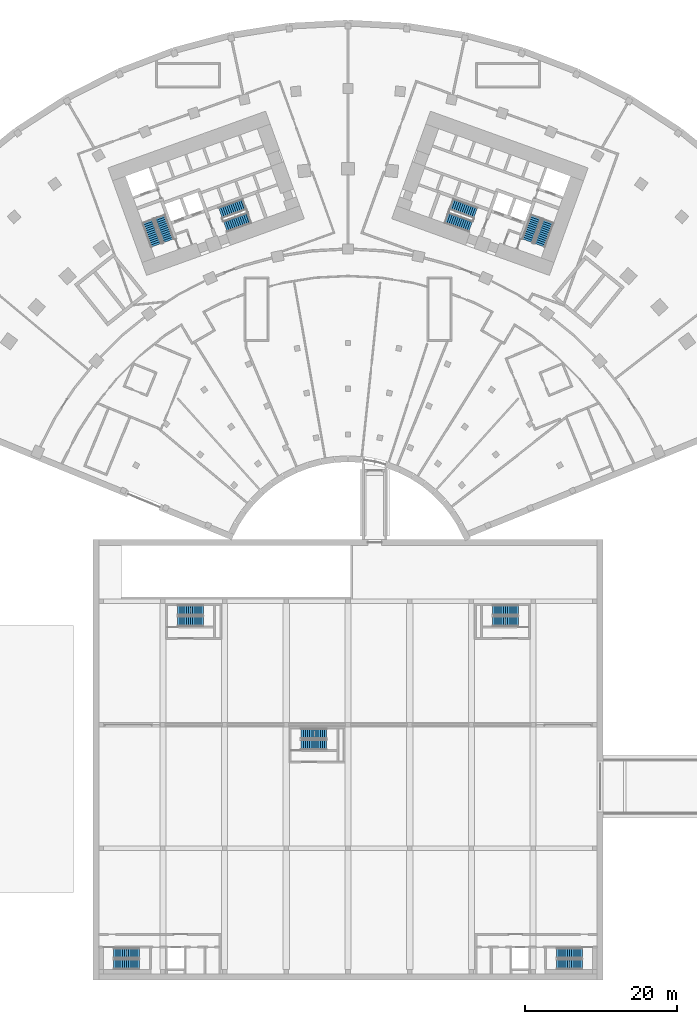
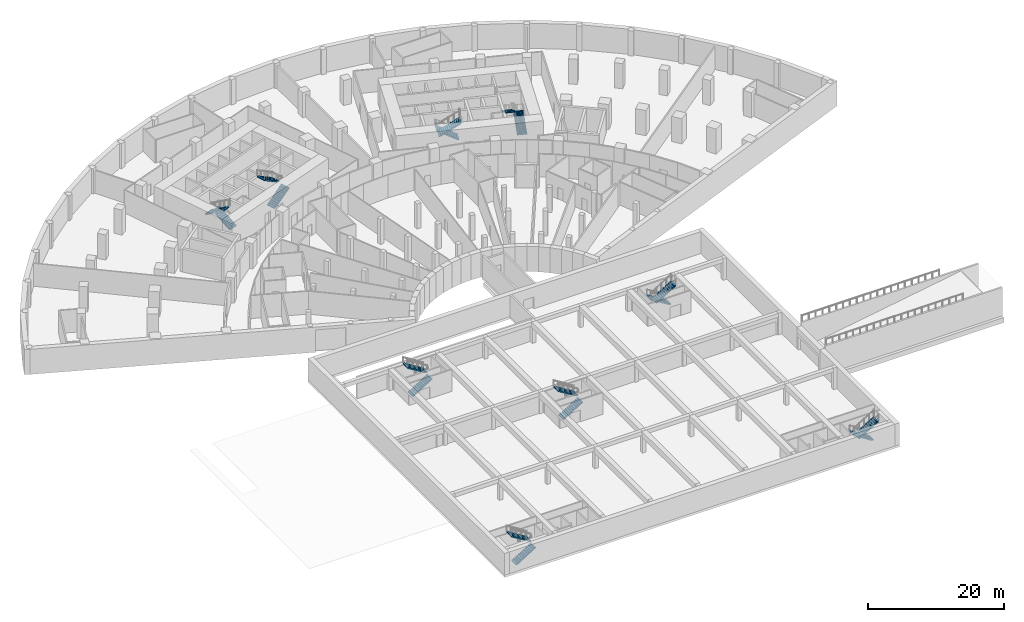
# One storey, part 14 of 23: 18 stair flights, 9 elements without a shape of their own.
"""IFC4 building model written with IfcOpenShell, lengths in metres."""

from ifc_helpers import new_model, si_unit, direction, frame, origin, place, context, subcontext, project, spatial, polyline, outline, extrude, material, layer, layer_set, type_object, element, aggregate, save


model = new_model("IFC4")

# Units and contexts
model_context = context("Model", 3, precision=1e-05, world=origin(), true_north=direction((0.0, 1.0)))
body_context = subcontext(model_context, "Body", "Model", "MODEL_VIEW")
ifc_project = project(units=[si_unit("LENGTHUNIT", "METRE"), si_unit("AREAUNIT", "SQUARE_METRE"), si_unit("VOLUMEUNIT", "CUBIC_METRE"), si_unit("PLANEANGLEUNIT", "RADIAN"), si_unit("MASSUNIT", "GRAM", prefix="KILO")], contexts=[model_context])

# Site, building, storey
site_placement = place(None, origin())
site = spatial("IfcSite", under=ifc_project, at=site_placement, CompositionType="ELEMENT")
building_placement = place(site_placement, origin())
building = spatial("IfcBuilding", under=site, at=building_placement, Name="Stone Belt Terrace Tower", CompositionType="ELEMENT")
storey_placement = place(building_placement, frame((0.0, 0.0, -4.5)))
storey = spatial("IfcBuildingStorey", under=building, at=storey_placement, Name="B1", CompositionType="ELEMENT", Elevation=-4.5)

# Stair, stair flights
ifc_material_1 = material(Name="Concrete B30", Category="concrete")
stair_type_1 = type_object("IfcStairType", Name="Car park stair 1200", PredefinedType="HALF_TURN_STAIR", material=ifc_material_1)
stair_1_placement = place(storey_placement, origin())
stair_1 = element("IfcStair", 1, at=stair_1_placement, inside=storey, type_object=stair_type_1, Name="B1 Car park stair 1", PredefinedType="HALF_TURN_STAIR")
ifc_layer = layer(ifc_material_1, 0.14990234375)
ifc_layer_set = layer_set([ifc_layer], Name="Car park stair flight 1200")
stair_flight_type_1 = type_object("IfcStairFlightType", Name="Car park stair flight 1200", PredefinedType="STRAIGHT", material=ifc_layer_set)
stair_flight_1_placement = place(storey_placement, frame((-30.75, -49.425048828125, 0.0), z_axis=(0.0, 0.0, 1.0), x_axis=(1.0, 0.0, 0.0)))
stair_flight_1 = element("IfcStairFlight", 2, at=stair_flight_1_placement, type_object=stair_flight_type_1, Name="CS1 flight 1", NumberOfRisers=13, NumberOfTreads=12, PredefinedType="STRAIGHT", RiserHeight=0.173076923, TreadLength=0.28, context=body_context, shape_type="SweptSolid", body=[
    extrude(outline(polyline([(0.0, 0.0), (0.0, 0.173095703125), (0.280029296875, 0.173095703125), (0.280029296875, 0.34619140625), (0.56005859375, 0.34619140625), (0.56005859375, 0.519287109375), (0.840087890625, 0.519287109375), (0.840087890625, 0.6923828125), (1.1201171875, 0.6923828125), (1.1201171875, 0.865478515625), (1.39990234375, 0.865478515625), (1.39990234375, 1.03857421875), (1.679931640625, 1.03857421875), (1.679931640625, 1.21142578125), (1.9599609375, 1.21142578125), (1.9599609375, 1.384521484375), (2.239990234375, 1.384521484375), (2.239990234375, 1.5576171875), (2.52001953125, 1.5576171875), (2.52001953125, 1.730712890625), (2.800048828125, 1.730712890625), (2.800048828125, 1.90380859375), (3.080078125, 1.90380859375), (3.080078125, 2.076904296875), (3.360107421875, 2.076904296875), (3.360107421875, 2.25), (3.360107421875, 1.900634765625), (0.28515625, 0.0), (0.0, 0.0)])), frame((0.0, 0.675048828125, 0.0), z_axis=(0.0, -1.0, 0.0), x_axis=(1.0, 0.0, 0.0)), (0.0, 0.0, 1.0), 1.35009765625),
])
stair_flight_2_placement = place(storey_placement, frame((-27.389892578125, -47.97509765625, 2.25), z_axis=(0.0, 0.0, 1.0), x_axis=(-1.0, 0.0, 0.0)))
stair_flight_2 = element("IfcStairFlight", 3, at=stair_flight_2_placement, type_object=stair_flight_type_1, Name="CS1 flight 2", NumberOfRisers=13, NumberOfTreads=12, PredefinedType="STRAIGHT", RiserHeight=0.173076923, TreadLength=0.28, context=body_context, shape_type="SweptSolid", body=[
    extrude(outline(polyline([(0.0, 0.0), (0.0, 0.173095703125), (0.280029296875, 0.173095703125), (0.280029296875, 0.34619140625), (0.56005859375, 0.34619140625), (0.56005859375, 0.519287109375), (0.840087890625, 0.519287109375), (0.840087890625, 0.6923828125), (1.1201171875, 0.6923828125), (1.1201171875, 0.865478515625), (1.39990234375, 0.865478515625), (1.39990234375, 1.03857421875), (1.679931640625, 1.03857421875), (1.679931640625, 1.21142578125), (1.9599609375, 1.21142578125), (1.9599609375, 1.384521484375), (2.239990234375, 1.384521484375), (2.239990234375, 1.5576171875), (2.52001953125, 1.5576171875), (2.52001953125, 1.730712890625), (2.800048828125, 1.730712890625), (2.800048828125, 1.90380859375), (3.080078125, 1.90380859375), (3.080078125, 2.076904296875), (3.360107421875, 2.076904296875), (3.360107421875, 2.25), (3.360107421875, 1.900634765625), (0.28515625, 0.0), (0.0, 0.0)])), frame((0.0, 0.675048828125, 0.0), z_axis=(0.0, -1.0, 0.0), x_axis=(1.0, 0.0, 0.0)), (0.0, 0.0, 1.0), 1.35009765625),
])
aggregate(stair_1, [stair_flight_1, stair_flight_2])

stair_2_placement = place(storey_placement, origin())
stair_2 = element("IfcStair", 4, at=stair_2_placement, inside=storey, type_object=stair_type_1, Name="B1 Car park stair 2", PredefinedType="HALF_TURN_STAIR")
stair_flight_3_placement = place(storey_placement, frame((30.75, -47.97509765625, 0.0), z_axis=(0.0, 0.0, 1.0), x_axis=(-1.0, 0.0, 0.0)))
stair_flight_3 = element("IfcStairFlight", 5, at=stair_flight_3_placement, type_object=stair_flight_type_1, Name="CS2 flight 1", NumberOfRisers=13, NumberOfTreads=12, PredefinedType="STRAIGHT", RiserHeight=0.173076923, TreadLength=0.28, context=body_context, shape_type="SweptSolid", body=[
    extrude(outline(polyline([(0.0, 0.0), (0.0, 0.173095703125), (0.280029296875, 0.173095703125), (0.280029296875, 0.34619140625), (0.56005859375, 0.34619140625), (0.56005859375, 0.519287109375), (0.840087890625, 0.519287109375), (0.840087890625, 0.6923828125), (1.1201171875, 0.6923828125), (1.1201171875, 0.865478515625), (1.39990234375, 0.865478515625), (1.39990234375, 1.03857421875), (1.679931640625, 1.03857421875), (1.679931640625, 1.21142578125), (1.9599609375, 1.21142578125), (1.9599609375, 1.384521484375), (2.239990234375, 1.384521484375), (2.239990234375, 1.5576171875), (2.52001953125, 1.5576171875), (2.52001953125, 1.730712890625), (2.800048828125, 1.730712890625), (2.800048828125, 1.90380859375), (3.080078125, 1.90380859375), (3.080078125, 2.076904296875), (3.360107421875, 2.076904296875), (3.360107421875, 2.25), (3.360107421875, 1.900634765625), (0.28515625, 0.0), (0.0, 0.0)])), frame((0.0, 0.675048828125, 0.0), z_axis=(0.0, -1.0, 0.0), x_axis=(1.0, 0.0, 0.0)), (0.0, 0.0, 1.0), 1.35009765625),
])
stair_flight_4_placement = place(storey_placement, frame((27.389892578125, -49.425048828125, 2.25), z_axis=(0.0, 0.0, 1.0), x_axis=(1.0, 0.0, 0.0)))
stair_flight_4 = element("IfcStairFlight", 6, at=stair_flight_4_placement, type_object=stair_flight_type_1, Name="CS2 flight 2", NumberOfRisers=13, NumberOfTreads=12, PredefinedType="STRAIGHT", RiserHeight=0.173076923, TreadLength=0.28, context=body_context, shape_type="SweptSolid", body=[
    extrude(outline(polyline([(0.0, 0.0), (0.0, 0.173095703125), (0.280029296875, 0.173095703125), (0.280029296875, 0.34619140625), (0.56005859375, 0.34619140625), (0.56005859375, 0.519287109375), (0.840087890625, 0.519287109375), (0.840087890625, 0.6923828125), (1.1201171875, 0.6923828125), (1.1201171875, 0.865478515625), (1.39990234375, 0.865478515625), (1.39990234375, 1.03857421875), (1.679931640625, 1.03857421875), (1.679931640625, 1.21142578125), (1.9599609375, 1.21142578125), (1.9599609375, 1.384521484375), (2.239990234375, 1.384521484375), (2.239990234375, 1.5576171875), (2.52001953125, 1.5576171875), (2.52001953125, 1.730712890625), (2.800048828125, 1.730712890625), (2.800048828125, 1.90380859375), (3.080078125, 1.90380859375), (3.080078125, 2.076904296875), (3.360107421875, 2.076904296875), (3.360107421875, 2.25), (3.360107421875, 1.900634765625), (0.28515625, 0.0), (0.0, 0.0)])), frame((0.0, 0.675048828125, 0.0), z_axis=(0.0, -1.0, 0.0), x_axis=(1.0, 0.0, 0.0)), (0.0, 0.0, 1.0), 1.35009765625),
])
aggregate(stair_2, [stair_flight_3, stair_flight_4])

stair_3_placement = place(storey_placement, origin())
stair_3 = element("IfcStair", 7, at=stair_3_placement, inside=storey, type_object=stair_type_1, Name="B1 Car park stair 3", PredefinedType="HALF_TURN_STAIR")
stair_flight_5_placement = place(storey_placement, frame((-22.35009765625, -4.425048828125, 0.0), z_axis=(0.0, 0.0, 1.0), x_axis=(1.0, 0.0, 0.0)))
stair_flight_5 = element("IfcStairFlight", 8, at=stair_flight_5_placement, type_object=stair_flight_type_1, Name="CS3 flight 1", NumberOfRisers=13, NumberOfTreads=12, PredefinedType="STRAIGHT", RiserHeight=0.173076923, TreadLength=0.28, context=body_context, shape_type="SweptSolid", body=[
    extrude(outline(polyline([(0.0, 0.0), (0.0, 0.173095703125), (0.280029296875, 0.173095703125), (0.280029296875, 0.34619140625), (0.56005859375, 0.34619140625), (0.56005859375, 0.519287109375), (0.840087890625, 0.519287109375), (0.840087890625, 0.6923828125), (1.1201171875, 0.6923828125), (1.1201171875, 0.865478515625), (1.39990234375, 0.865478515625), (1.39990234375, 1.03857421875), (1.679931640625, 1.03857421875), (1.679931640625, 1.21142578125), (1.9599609375, 1.21142578125), (1.9599609375, 1.384521484375), (2.239990234375, 1.384521484375), (2.239990234375, 1.5576171875), (2.52001953125, 1.5576171875), (2.52001953125, 1.730712890625), (2.800048828125, 1.730712890625), (2.800048828125, 1.90380859375), (3.080078125, 1.90380859375), (3.080078125, 2.076904296875), (3.360107421875, 2.076904296875), (3.360107421875, 2.25), (3.360107421875, 1.900634765625), (0.28515625, 0.0), (0.0, 0.0)])), frame((0.0, 0.675048828125, 0.0), z_axis=(0.0, -1.0, 0.0), x_axis=(1.0, 0.0, 0.0)), (0.0, 0.0, 1.0), 1.35009765625),
])
stair_flight_6_placement = place(storey_placement, frame((-18.989990234375, -2.97509765625, 2.25), z_axis=(0.0, 0.0, 1.0), x_axis=(-1.0, 0.0, 0.0)))
stair_flight_6 = element("IfcStairFlight", 9, at=stair_flight_6_placement, type_object=stair_flight_type_1, Name="CS3 flight 2", NumberOfRisers=13, NumberOfTreads=12, PredefinedType="STRAIGHT", RiserHeight=0.173076923, TreadLength=0.28, context=body_context, shape_type="SweptSolid", body=[
    extrude(outline(polyline([(0.0, 0.0), (0.0, 0.173095703125), (0.280029296875, 0.173095703125), (0.280029296875, 0.34619140625), (0.56005859375, 0.34619140625), (0.56005859375, 0.519287109375), (0.840087890625, 0.519287109375), (0.840087890625, 0.6923828125), (1.1201171875, 0.6923828125), (1.1201171875, 0.865478515625), (1.39990234375, 0.865478515625), (1.39990234375, 1.03857421875), (1.679931640625, 1.03857421875), (1.679931640625, 1.21142578125), (1.9599609375, 1.21142578125), (1.9599609375, 1.384521484375), (2.239990234375, 1.384521484375), (2.239990234375, 1.5576171875), (2.52001953125, 1.5576171875), (2.52001953125, 1.730712890625), (2.800048828125, 1.730712890625), (2.800048828125, 1.90380859375), (3.080078125, 1.90380859375), (3.080078125, 2.076904296875), (3.360107421875, 2.076904296875), (3.360107421875, 2.25), (3.360107421875, 1.900634765625), (0.28515625, 0.0), (0.0, 0.0)])), frame((0.0, 0.675048828125, 0.0), z_axis=(0.0, -1.0, 0.0), x_axis=(1.0, 0.0, 0.0)), (0.0, 0.0, 1.0), 1.35009765625),
])
aggregate(stair_3, [stair_flight_5, stair_flight_6])

stair_4_placement = place(storey_placement, origin())
stair_4 = element("IfcStair", 10, at=stair_4_placement, inside=storey, type_object=stair_type_1, Name="B1 Car park stair 4", PredefinedType="HALF_TURN_STAIR")
stair_flight_7_placement = place(storey_placement, frame((22.35009765625, -2.97509765625, 0.0), z_axis=(0.0, 0.0, 1.0), x_axis=(-1.0, 0.0, 0.0)))
stair_flight_7 = element("IfcStairFlight", 11, at=stair_flight_7_placement, type_object=stair_flight_type_1, Name="CS4 flight 1", NumberOfRisers=13, NumberOfTreads=12, PredefinedType="STRAIGHT", RiserHeight=0.173076923, TreadLength=0.28, context=body_context, shape_type="SweptSolid", body=[
    extrude(outline(polyline([(0.0, 0.0), (0.0, 0.173095703125), (0.280029296875, 0.173095703125), (0.280029296875, 0.34619140625), (0.56005859375, 0.34619140625), (0.56005859375, 0.519287109375), (0.840087890625, 0.519287109375), (0.840087890625, 0.6923828125), (1.1201171875, 0.6923828125), (1.1201171875, 0.865478515625), (1.39990234375, 0.865478515625), (1.39990234375, 1.03857421875), (1.679931640625, 1.03857421875), (1.679931640625, 1.21142578125), (1.9599609375, 1.21142578125), (1.9599609375, 1.384521484375), (2.239990234375, 1.384521484375), (2.239990234375, 1.5576171875), (2.52001953125, 1.5576171875), (2.52001953125, 1.730712890625), (2.800048828125, 1.730712890625), (2.800048828125, 1.90380859375), (3.080078125, 1.90380859375), (3.080078125, 2.076904296875), (3.360107421875, 2.076904296875), (3.360107421875, 2.25), (3.360107421875, 1.900634765625), (0.28515625, 0.0), (0.0, 0.0)])), frame((0.0, 0.675048828125, 0.0), z_axis=(0.0, -1.0, 0.0), x_axis=(1.0, 0.0, 0.0)), (0.0, 0.0, 1.0), 1.35009765625),
])
stair_flight_8_placement = place(storey_placement, frame((18.989990234375, -4.425048828125, 2.25), z_axis=(0.0, 0.0, 1.0), x_axis=(1.0, 0.0, 0.0)))
stair_flight_8 = element("IfcStairFlight", 12, at=stair_flight_8_placement, type_object=stair_flight_type_1, Name="CS4 flight 2", NumberOfRisers=13, NumberOfTreads=12, PredefinedType="STRAIGHT", RiserHeight=0.173076923, TreadLength=0.28, context=body_context, shape_type="SweptSolid", body=[
    extrude(outline(polyline([(0.0, 0.0), (0.0, 0.173095703125), (0.280029296875, 0.173095703125), (0.280029296875, 0.34619140625), (0.56005859375, 0.34619140625), (0.56005859375, 0.519287109375), (0.840087890625, 0.519287109375), (0.840087890625, 0.6923828125), (1.1201171875, 0.6923828125), (1.1201171875, 0.865478515625), (1.39990234375, 0.865478515625), (1.39990234375, 1.03857421875), (1.679931640625, 1.03857421875), (1.679931640625, 1.21142578125), (1.9599609375, 1.21142578125), (1.9599609375, 1.384521484375), (2.239990234375, 1.384521484375), (2.239990234375, 1.5576171875), (2.52001953125, 1.5576171875), (2.52001953125, 1.730712890625), (2.800048828125, 1.730712890625), (2.800048828125, 1.90380859375), (3.080078125, 1.90380859375), (3.080078125, 2.076904296875), (3.360107421875, 2.076904296875), (3.360107421875, 2.25), (3.360107421875, 1.900634765625), (0.28515625, 0.0), (0.0, 0.0)])), frame((0.0, 0.675048828125, 0.0), z_axis=(0.0, -1.0, 0.0), x_axis=(1.0, 0.0, 0.0)), (0.0, 0.0, 1.0), 1.35009765625),
])
aggregate(stair_4, [stair_flight_7, stair_flight_8])

stair_5_placement = place(storey_placement, origin())
stair_5 = element("IfcStair", 13, at=stair_5_placement, inside=storey, type_object=stair_type_1, Name="B1 Car park stair 5", PredefinedType="HALF_TURN_STAIR")
stair_flight_9_placement = place(storey_placement, frame((-6.14990234375, -20.625, 0.0), z_axis=(0.0, 0.0, 1.0), x_axis=(1.0, 0.0, 0.0)))
stair_flight_9 = element("IfcStairFlight", 14, at=stair_flight_9_placement, type_object=stair_flight_type_1, Name="CS5 flight 1", NumberOfRisers=13, NumberOfTreads=12, PredefinedType="STRAIGHT", RiserHeight=0.173076923, TreadLength=0.28, context=body_context, shape_type="SweptSolid", body=[
    extrude(outline(polyline([(0.0, 0.0), (0.0, 0.173095703125), (0.280029296875, 0.173095703125), (0.280029296875, 0.34619140625), (0.56005859375, 0.34619140625), (0.56005859375, 0.519287109375), (0.840087890625, 0.519287109375), (0.840087890625, 0.6923828125), (1.1201171875, 0.6923828125), (1.1201171875, 0.865478515625), (1.39990234375, 0.865478515625), (1.39990234375, 1.03857421875), (1.679931640625, 1.03857421875), (1.679931640625, 1.21142578125), (1.9599609375, 1.21142578125), (1.9599609375, 1.384521484375), (2.239990234375, 1.384521484375), (2.239990234375, 1.5576171875), (2.52001953125, 1.5576171875), (2.52001953125, 1.730712890625), (2.800048828125, 1.730712890625), (2.800048828125, 1.90380859375), (3.080078125, 1.90380859375), (3.080078125, 2.076904296875), (3.360107421875, 2.076904296875), (3.360107421875, 2.25), (3.360107421875, 1.900634765625), (0.28515625, 0.0), (0.0, 0.0)])), frame((0.0, 0.675048828125, 0.0), z_axis=(0.0, -1.0, 0.0), x_axis=(1.0, 0.0, 0.0)), (0.0, 0.0, 1.0), 1.35009765625),
])
stair_flight_10_placement = place(storey_placement, frame((-2.7900390625, -19.175048828125, 2.25), z_axis=(0.0, 0.0, 1.0), x_axis=(-1.0, 0.0, 0.0)))
stair_flight_10 = element("IfcStairFlight", 15, at=stair_flight_10_placement, type_object=stair_flight_type_1, Name="CS5 flight 2", NumberOfRisers=13, NumberOfTreads=12, PredefinedType="STRAIGHT", RiserHeight=0.173076923, TreadLength=0.28, context=body_context, shape_type="SweptSolid", body=[
    extrude(outline(polyline([(0.0, 0.0), (0.0, 0.173095703125), (0.280029296875, 0.173095703125), (0.280029296875, 0.34619140625), (0.56005859375, 0.34619140625), (0.56005859375, 0.519287109375), (0.840087890625, 0.519287109375), (0.840087890625, 0.6923828125), (1.1201171875, 0.6923828125), (1.1201171875, 0.865478515625), (1.39990234375, 0.865478515625), (1.39990234375, 1.03857421875), (1.679931640625, 1.03857421875), (1.679931640625, 1.21142578125), (1.9599609375, 1.21142578125), (1.9599609375, 1.384521484375), (2.239990234375, 1.384521484375), (2.239990234375, 1.5576171875), (2.52001953125, 1.5576171875), (2.52001953125, 1.730712890625), (2.800048828125, 1.730712890625), (2.800048828125, 1.90380859375), (3.080078125, 1.90380859375), (3.080078125, 2.076904296875), (3.360107421875, 2.076904296875), (3.360107421875, 2.25), (3.360107421875, 1.900634765625), (0.28515625, 0.0), (0.0, 0.0)])), frame((0.0, 0.675048828125, 0.0), z_axis=(0.0, -1.0, 0.0), x_axis=(1.0, 0.0, 0.0)), (0.0, 0.0, 1.0), 1.35009765625),
])
aggregate(stair_5, [stair_flight_9, stair_flight_10])

ifc_material_2 = material(Name="Concrete B40", Category="concrete")
stair_type_2 = type_object("IfcStairType", Name="Exit stair 1500", PredefinedType="HALF_TURN_STAIR", material=ifc_material_2)
stair_6_placement = place(storey_placement, origin())
stair_6 = element("IfcStair", 16, at=stair_6_placement, inside=storey, type_object=stair_type_2, Name="B1 Exit stair 1 core A", PredefinedType="HALF_TURN_STAIR")
stair_flight_type_2 = type_object("IfcStairFlightType", Name="Stair flight 1500", PredefinedType="STRAIGHT", material=ifc_material_2)
stair_flight_11_placement = place(storey_placement, frame((-23.55322265625, 45.51318359375, 0.0), z_axis=(0.0, 0.0, 1.0), x_axis=(-0.338624396177, 0.940921632398, 0.0)))
stair_flight_11 = element("IfcStairFlight", 17, at=stair_flight_11_placement, type_object=stair_flight_type_2, Name="ST1A flight 1", NumberOfRisers=13, NumberOfTreads=12, PredefinedType="STRAIGHT", RiserHeight=0.173076923, TreadLength=0.28, context=body_context, shape_type="SweptSolid", body=[
    extrude(outline(polyline([(0.0, 0.0), (0.0, 0.173095703125), (0.280029296875, 0.173095703125), (0.280029296875, 0.34619140625), (0.56005859375, 0.34619140625), (0.56005859375, 0.519287109375), (0.840087890625, 0.519287109375), (0.840087890625, 0.6923828125), (1.1201171875, 0.6923828125), (1.1201171875, 0.865478515625), (1.39990234375, 0.865478515625), (1.39990234375, 1.03857421875), (1.679931640625, 1.03857421875), (1.679931640625, 1.21142578125), (1.9599609375, 1.21142578125), (1.9599609375, 1.384521484375), (2.239990234375, 1.384521484375), (2.239990234375, 1.5576171875), (2.52001953125, 1.5576171875), (2.52001953125, 1.730712890625), (2.800048828125, 1.730712890625), (2.800048828125, 1.90380859375), (3.080078125, 1.90380859375), (3.080078125, 2.076904296875), (3.360107421875, 2.076904296875), (3.360107421875, 2.25), (3.360107421875, 1.900634765625), (0.28515625, 0.0), (0.0, 0.0)])), frame((0.0, 0.75, 0.0), z_axis=(0.0, -1.0, 0.0), x_axis=(1.0, 0.0, 0.0)), (0.0, 0.0, 1.0), 1.5),
])
stair_flight_12_placement = place(storey_placement, frame((-26.290771484375, 48.098876953125, 2.25), z_axis=(0.0, 0.0, 1.0), x_axis=(0.338624396177, -0.940921632398, 0.0)))
stair_flight_12 = element("IfcStairFlight", 18, at=stair_flight_12_placement, type_object=stair_flight_type_2, Name="ST1A flight 2", NumberOfRisers=13, NumberOfTreads=12, PredefinedType="STRAIGHT", RiserHeight=0.173076923, TreadLength=0.28, context=body_context, shape_type="SweptSolid", body=[
    extrude(outline(polyline([(0.0, 0.0), (0.0, 0.173095703125), (0.280029296875, 0.173095703125), (0.280029296875, 0.34619140625), (0.56005859375, 0.34619140625), (0.56005859375, 0.519287109375), (0.840087890625, 0.519287109375), (0.840087890625, 0.6923828125), (1.1201171875, 0.6923828125), (1.1201171875, 0.865478515625), (1.39990234375, 0.865478515625), (1.39990234375, 1.03857421875), (1.679931640625, 1.03857421875), (1.679931640625, 1.21142578125), (1.9599609375, 1.21142578125), (1.9599609375, 1.384521484375), (2.239990234375, 1.384521484375), (2.239990234375, 1.5576171875), (2.52001953125, 1.5576171875), (2.52001953125, 1.730712890625), (2.800048828125, 1.730712890625), (2.800048828125, 1.90380859375), (3.080078125, 1.90380859375), (3.080078125, 2.076904296875), (3.360107421875, 2.076904296875), (3.360107421875, 2.25), (3.360107421875, 1.900634765625), (0.28515625, 0.0), (0.0, 0.0)])), frame((0.0, 0.75, 0.0), z_axis=(0.0, -1.0, 0.0), x_axis=(1.0, 0.0, 0.0)), (0.0, 0.0, 1.0), 1.5),
])
aggregate(stair_6, [stair_flight_11, stair_flight_12])

stair_7_placement = place(storey_placement, origin())
stair_7 = element("IfcStair", 19, at=stair_7_placement, inside=storey, type_object=stair_type_2, Name="B1 Exit stair 2 core A", PredefinedType="HALF_TURN_STAIR")
stair_flight_13_placement = place(storey_placement, frame((-16.101318359375, 47.39794921875, 0.0), z_axis=(0.0, 0.0, 1.0), x_axis=(0.940921632398, 0.338624396177, 0.0)))
stair_flight_13 = element("IfcStairFlight", 20, at=stair_flight_13_placement, type_object=stair_flight_type_2, Name="ST2A flight 1", NumberOfRisers=13, NumberOfTreads=12, PredefinedType="STRAIGHT", RiserHeight=0.173076923, TreadLength=0.28, context=body_context, shape_type="SweptSolid", body=[
    extrude(outline(polyline([(0.0, 0.0), (0.0, 0.173095703125), (0.280029296875, 0.173095703125), (0.280029296875, 0.34619140625), (0.56005859375, 0.34619140625), (0.56005859375, 0.519287109375), (0.840087890625, 0.519287109375), (0.840087890625, 0.6923828125), (1.1201171875, 0.6923828125), (1.1201171875, 0.865478515625), (1.39990234375, 0.865478515625), (1.39990234375, 1.03857421875), (1.679931640625, 1.03857421875), (1.679931640625, 1.21142578125), (1.9599609375, 1.21142578125), (1.9599609375, 1.384521484375), (2.239990234375, 1.384521484375), (2.239990234375, 1.5576171875), (2.52001953125, 1.5576171875), (2.52001953125, 1.730712890625), (2.800048828125, 1.730712890625), (2.800048828125, 1.90380859375), (3.080078125, 1.90380859375), (3.080078125, 2.076904296875), (3.360107421875, 2.076904296875), (3.360107421875, 2.25), (3.360107421875, 1.900634765625), (0.28515625, 0.0), (0.0, 0.0)])), frame((0.0, 0.75, 0.0), z_axis=(0.0, -1.0, 0.0), x_axis=(1.0, 0.0, 0.0)), (0.0, 0.0, 1.0), 1.5),
])
stair_flight_14_placement = place(storey_placement, frame((-13.583251953125, 50.323486328125, 2.25), z_axis=(0.0, 0.0, 1.0), x_axis=(-0.940921632398, -0.338624396177, 0.0)))
stair_flight_14 = element("IfcStairFlight", 21, at=stair_flight_14_placement, type_object=stair_flight_type_2, Name="ST2A flight 2", NumberOfRisers=13, NumberOfTreads=12, PredefinedType="STRAIGHT", RiserHeight=0.173076923, TreadLength=0.28, context=body_context, shape_type="SweptSolid", body=[
    extrude(outline(polyline([(0.0, 0.0), (0.0, 0.173095703125), (0.280029296875, 0.173095703125), (0.280029296875, 0.34619140625), (0.56005859375, 0.34619140625), (0.56005859375, 0.519287109375), (0.840087890625, 0.519287109375), (0.840087890625, 0.6923828125), (1.1201171875, 0.6923828125), (1.1201171875, 0.865478515625), (1.39990234375, 0.865478515625), (1.39990234375, 1.03857421875), (1.679931640625, 1.03857421875), (1.679931640625, 1.21142578125), (1.9599609375, 1.21142578125), (1.9599609375, 1.384521484375), (2.239990234375, 1.384521484375), (2.239990234375, 1.5576171875), (2.52001953125, 1.5576171875), (2.52001953125, 1.730712890625), (2.800048828125, 1.730712890625), (2.800048828125, 1.90380859375), (3.080078125, 1.90380859375), (3.080078125, 2.076904296875), (3.360107421875, 2.076904296875), (3.360107421875, 2.25), (3.360107421875, 1.900634765625), (0.28515625, 0.0), (0.0, 0.0)])), frame((0.0, 0.75, 0.0), z_axis=(0.0, -1.0, 0.0), x_axis=(1.0, 0.0, 0.0)), (0.0, 0.0, 1.0), 1.5),
])
aggregate(stair_7, [stair_flight_13, stair_flight_14])

stair_8_placement = place(storey_placement, origin())
stair_8 = element("IfcStair", 22, at=stair_8_placement, inside=storey, type_object=stair_type_2, Name="B1 Exit stair 1 core B", PredefinedType="HALF_TURN_STAIR")
stair_flight_15_placement = place(storey_placement, frame((25.15283203125, 44.9375, 0.0), z_axis=(0.0, 0.0, 1.0), x_axis=(0.338624396177, 0.940921632398, 0.0)))
stair_flight_15 = element("IfcStairFlight", 23, at=stair_flight_15_placement, type_object=stair_flight_type_2, Name="ST1B flight 1", NumberOfRisers=13, NumberOfTreads=12, PredefinedType="STRAIGHT", RiserHeight=0.173076923, TreadLength=0.28, context=body_context, shape_type="SweptSolid", body=[
    extrude(outline(polyline([(0.0, 0.0), (0.0, 0.173095703125), (0.280029296875, 0.173095703125), (0.280029296875, 0.34619140625), (0.56005859375, 0.34619140625), (0.56005859375, 0.519287109375), (0.840087890625, 0.519287109375), (0.840087890625, 0.6923828125), (1.1201171875, 0.6923828125), (1.1201171875, 0.865478515625), (1.39990234375, 0.865478515625), (1.39990234375, 1.03857421875), (1.679931640625, 1.03857421875), (1.679931640625, 1.21142578125), (1.9599609375, 1.21142578125), (1.9599609375, 1.384521484375), (2.239990234375, 1.384521484375), (2.239990234375, 1.5576171875), (2.52001953125, 1.5576171875), (2.52001953125, 1.730712890625), (2.800048828125, 1.730712890625), (2.800048828125, 1.90380859375), (3.080078125, 1.90380859375), (3.080078125, 2.076904296875), (3.360107421875, 2.076904296875), (3.360107421875, 2.25), (3.360107421875, 1.900634765625), (0.28515625, 0.0), (0.0, 0.0)])), frame((0.0, 0.75, 0.0), z_axis=(0.0, -1.0, 0.0), x_axis=(1.0, 0.0, 0.0)), (0.0, 0.0, 1.0), 1.5),
])
stair_flight_16_placement = place(storey_placement, frame((24.691162109375, 48.674560546875, 2.25), z_axis=(0.0, 0.0, 1.0), x_axis=(-0.338624396177, -0.940921632398, 0.0)))
stair_flight_16 = element("IfcStairFlight", 24, at=stair_flight_16_placement, type_object=stair_flight_type_2, Name="ST1B flight 2", NumberOfRisers=13, NumberOfTreads=12, PredefinedType="STRAIGHT", RiserHeight=0.173076923, TreadLength=0.28, context=body_context, shape_type="SweptSolid", body=[
    extrude(outline(polyline([(0.0, 0.0), (0.0, 0.173095703125), (0.280029296875, 0.173095703125), (0.280029296875, 0.34619140625), (0.56005859375, 0.34619140625), (0.56005859375, 0.519287109375), (0.840087890625, 0.519287109375), (0.840087890625, 0.6923828125), (1.1201171875, 0.6923828125), (1.1201171875, 0.865478515625), (1.39990234375, 0.865478515625), (1.39990234375, 1.03857421875), (1.679931640625, 1.03857421875), (1.679931640625, 1.21142578125), (1.9599609375, 1.21142578125), (1.9599609375, 1.384521484375), (2.239990234375, 1.384521484375), (2.239990234375, 1.5576171875), (2.52001953125, 1.5576171875), (2.52001953125, 1.730712890625), (2.800048828125, 1.730712890625), (2.800048828125, 1.90380859375), (3.080078125, 1.90380859375), (3.080078125, 2.076904296875), (3.360107421875, 2.076904296875), (3.360107421875, 2.25), (3.360107421875, 1.900634765625), (0.28515625, 0.0), (0.0, 0.0)])), frame((0.0, 0.75, 0.0), z_axis=(0.0, -1.0, 0.0), x_axis=(1.0, 0.0, 0.0)), (0.0, 0.0, 1.0), 1.5),
])
aggregate(stair_8, [stair_flight_15, stair_flight_16])

stair_9_placement = place(storey_placement, origin())
stair_9 = element("IfcStair", 25, at=stair_9_placement, inside=storey, type_object=stair_type_2, Name="B1 Exit stair 2 core B", PredefinedType="HALF_TURN_STAIR")
stair_flight_17_placement = place(storey_placement, frame((16.74462890625, 49.185546875, 0.0), z_axis=(0.0, 0.0, 1.0), x_axis=(-0.940921632398, 0.338624396177, 0.0)))
stair_flight_17 = element("IfcStairFlight", 26, at=stair_flight_17_placement, type_object=stair_flight_type_2, Name="ST2B flight 1", NumberOfRisers=13, NumberOfTreads=12, PredefinedType="STRAIGHT", RiserHeight=0.173076923, TreadLength=0.28, context=body_context, shape_type="SweptSolid", body=[
    extrude(outline(polyline([(0.0, 0.0), (0.0, 0.173095703125), (0.280029296875, 0.173095703125), (0.280029296875, 0.34619140625), (0.56005859375, 0.34619140625), (0.56005859375, 0.519287109375), (0.840087890625, 0.519287109375), (0.840087890625, 0.6923828125), (1.1201171875, 0.6923828125), (1.1201171875, 0.865478515625), (1.39990234375, 0.865478515625), (1.39990234375, 1.03857421875), (1.679931640625, 1.03857421875), (1.679931640625, 1.21142578125), (1.9599609375, 1.21142578125), (1.9599609375, 1.384521484375), (2.239990234375, 1.384521484375), (2.239990234375, 1.5576171875), (2.52001953125, 1.5576171875), (2.52001953125, 1.730712890625), (2.800048828125, 1.730712890625), (2.800048828125, 1.90380859375), (3.080078125, 1.90380859375), (3.080078125, 2.076904296875), (3.360107421875, 2.076904296875), (3.360107421875, 2.25), (3.360107421875, 1.900634765625), (0.28515625, 0.0), (0.0, 0.0)])), frame((0.0, 0.75, 0.0), z_axis=(0.0, -1.0, 0.0), x_axis=(1.0, 0.0, 0.0)), (0.0, 0.0, 1.0), 1.5),
])
stair_flight_18_placement = place(storey_placement, frame((12.93994140625, 48.53564453125, 2.25), z_axis=(0.0, 0.0, 1.0), x_axis=(0.940921632398, -0.338624396177, 0.0)))
stair_flight_18 = element("IfcStairFlight", 27, at=stair_flight_18_placement, type_object=stair_flight_type_2, Name="ST2B flight 2", NumberOfRisers=13, NumberOfTreads=12, PredefinedType="STRAIGHT", RiserHeight=0.173076923, TreadLength=0.28, context=body_context, shape_type="SweptSolid", body=[
    extrude(outline(polyline([(0.0, 0.0), (0.0, 0.173095703125), (0.280029296875, 0.173095703125), (0.280029296875, 0.34619140625), (0.56005859375, 0.34619140625), (0.56005859375, 0.519287109375), (0.840087890625, 0.519287109375), (0.840087890625, 0.6923828125), (1.1201171875, 0.6923828125), (1.1201171875, 0.865478515625), (1.39990234375, 0.865478515625), (1.39990234375, 1.03857421875), (1.679931640625, 1.03857421875), (1.679931640625, 1.21142578125), (1.9599609375, 1.21142578125), (1.9599609375, 1.384521484375), (2.239990234375, 1.384521484375), (2.239990234375, 1.5576171875), (2.52001953125, 1.5576171875), (2.52001953125, 1.730712890625), (2.800048828125, 1.730712890625), (2.800048828125, 1.90380859375), (3.080078125, 1.90380859375), (3.080078125, 2.076904296875), (3.360107421875, 2.076904296875), (3.360107421875, 2.25), (3.360107421875, 1.900634765625), (0.28515625, 0.0), (0.0, 0.0)])), frame((0.0, 0.75, 0.0), z_axis=(0.0, -1.0, 0.0), x_axis=(1.0, 0.0, 0.0)), (0.0, 0.0, 1.0), 1.5),
])
aggregate(stair_9, [stair_flight_17, stair_flight_18])

save(model, "model.ifc")
